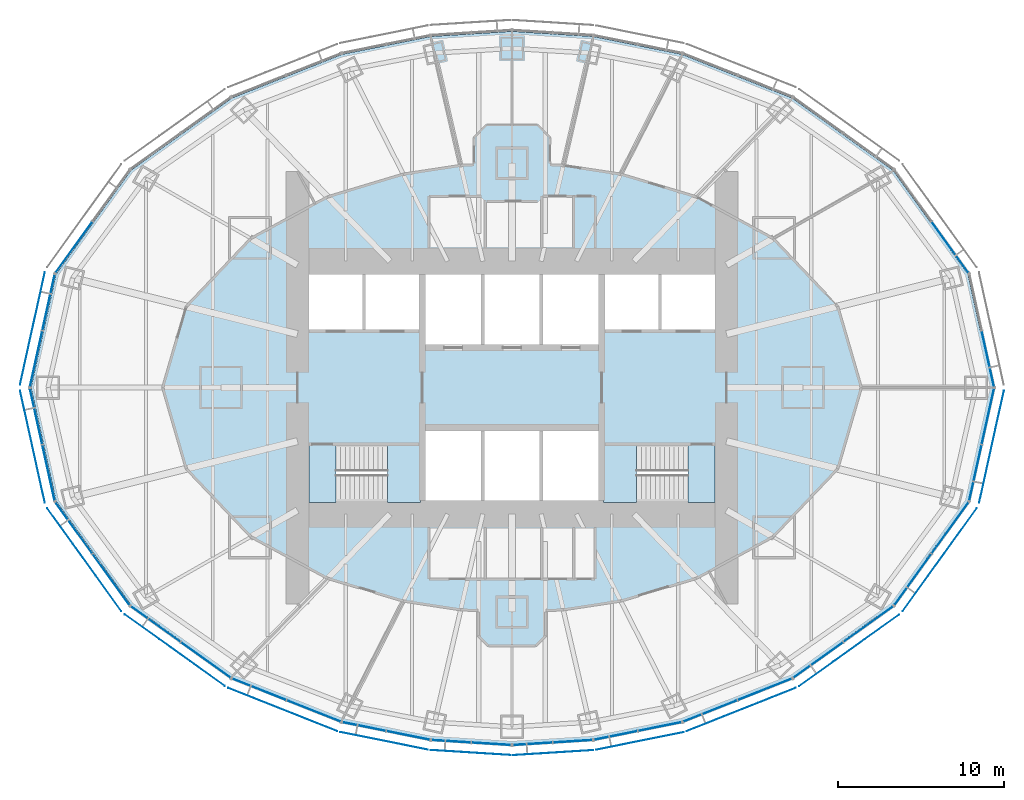
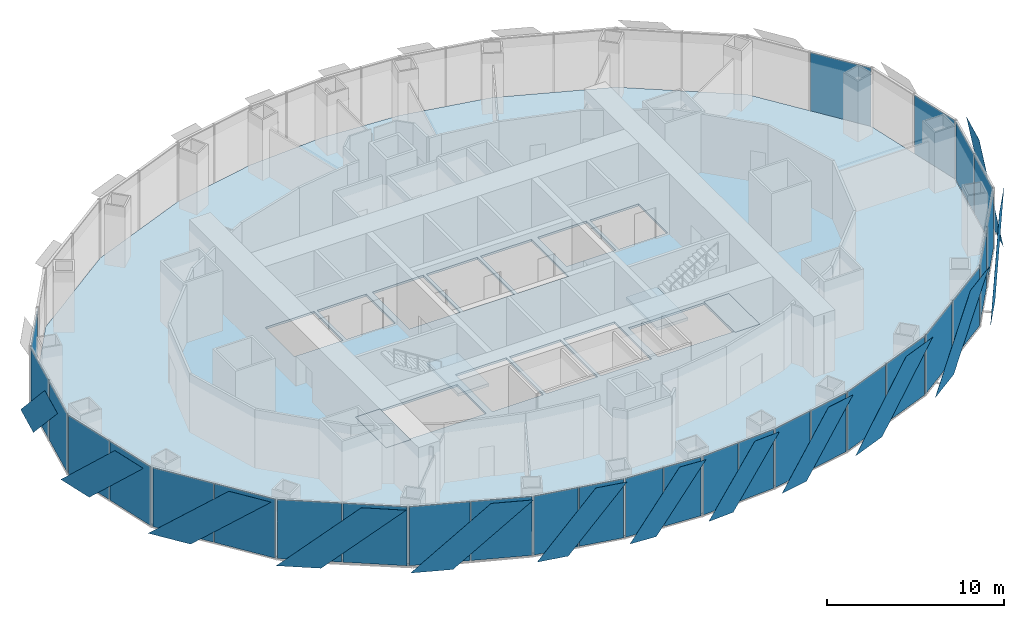
# One storey, part 9 of 18: 42 plates, 5 slabs, 18 elements without a shape of their own.
"""IFC4 building model written with IfcOpenShell, lengths in metres."""

from ifc_helpers import new_model, si_unit, direction, frame, origin, origin_2d, place, context, subcontext, project, spatial, polyline, rectangle, outline, extrude, material, layer, layer_set, type_object, element, aggregate, save


model = new_model("IFC4")

# Units and contexts
model_context = context("Model", 3, precision=1e-05, world=origin(), true_north=direction((0.0, 1.0)))
body_context = subcontext(model_context, "Body", "Model", "MODEL_VIEW")
ifc_project = project(units=[si_unit("LENGTHUNIT", "METRE"), si_unit("AREAUNIT", "SQUARE_METRE"), si_unit("VOLUMEUNIT", "CUBIC_METRE"), si_unit("PLANEANGLEUNIT", "RADIAN"), si_unit("MASSUNIT", "GRAM", prefix="KILO")], contexts=[model_context])

# Site, building, storey
site_placement = place(None, origin())
site = spatial("IfcSite", under=ifc_project, at=site_placement, CompositionType="ELEMENT")
building_placement = place(site_placement, origin())
building = spatial("IfcBuilding", under=site, at=building_placement, Name="Lantaw Convention Tower", CompositionType="ELEMENT")
storey_placement = place(building_placement, frame((0.0, 0.0, 180.39990234375)))
storey = spatial("IfcBuildingStorey", under=building, at=storey_placement, Name="L42", CompositionType="ELEMENT", Elevation=180.39990234375)

# Curtain wall, plate
ifc_material_1 = material(Name="Aluminium framed curtain wall", Category="aluminium")
curtain_wall_type = type_object("IfcCurtainWallType", Name="Office curtain wall low rise, pale aluminium", PredefinedType="USERDEFINED", material=ifc_material_1)
curtain_wall_1_placement = place(storey_placement, origin())
curtain_wall_1 = element("IfcCurtainWall", 1, at=curtain_wall_1_placement, inside=storey, type_object=curtain_wall_type, Name="Office curtain wall low rise, pale aluminium L42", ObjectType="UNITISED CURTAIN WALL", PredefinedType="USERDEFINED")
ifc_material_2 = material(Name="Clear insulating glass", Category="glass")
ifc_layer_1 = layer(ifc_material_2, 0.028076171875)
ifc_layer_set_1 = layer_set([ifc_layer_1], Name="CW-O1 panel 28")
plate_type_1 = type_object("IfcPlateType", Name="CW-O1 panel 28", PredefinedType="CURTAIN_PANEL", material=ifc_layer_set_1)
plate_1_placement = place(storey_placement, frame((28.618408203125, 1.729248046875, -0.0849609375), z_axis=(0.0, 0.0, 1.0), x_axis=(-0.215546166174, 0.9764936509, 0.0)))
plate_1 = element("IfcPlate", 2, at=plate_1_placement, type_object=plate_type_1, Name="CW-O1 panel 1.1", PredefinedType="CURTAIN_PANEL", context=body_context, shape_type="SweptSolid", body=[
    extrude(rectangle(XDim=3.41162109375, YDim=0.028076171875, at=origin_2d()), origin(), (0.0, 0.0, 1.0), 4.070068359375),
])
aggregate(curtain_wall_1, [plate_1])

curtain_wall_2_placement = place(storey_placement, origin())
curtain_wall_2 = element("IfcCurtainWall", 3, at=curtain_wall_2_placement, inside=storey, type_object=curtain_wall_type, Name="Office curtain wall low rise, pale aluminium L42", ObjectType="UNITISED CURTAIN WALL", PredefinedType="USERDEFINED")
plate_2_placement = place(storey_placement, frame((26.34814453125, 8.4345703125, -0.0849609375), z_axis=(0.0, 0.0, 1.0), x_axis=(-0.584512597221, 0.811384633629, 0.0)))
plate_2 = element("IfcPlate", 4, at=plate_2_placement, type_object=plate_type_1, Name="CW-O1 panel 1.1", PredefinedType="CURTAIN_PANEL", context=body_context, shape_type="SweptSolid", body=[
    extrude(rectangle(XDim=3.767333984375, YDim=0.028076171875, at=origin_2d()), origin(), (0.0, 0.0, 1.0), 4.070068359375),
])
aggregate(curtain_wall_2, [plate_2])

curtain_wall_3_placement = place(storey_placement, origin())
curtain_wall_3 = element("IfcCurtainWall", 5, at=curtain_wall_3_placement, inside=storey, type_object=curtain_wall_type, Name="Office curtain wall low rise, pale aluminium L42", ObjectType="UNITISED CURTAIN WALL", PredefinedType="USERDEFINED")
plate_3_placement = place(storey_placement, frame((-26.34814453125, 8.4345703125, -0.0849609375), z_axis=(0.0, 0.0, 1.0), x_axis=(-0.584512597221, -0.811384633629, 0.0)))
plate_3 = element("IfcPlate", 6, at=plate_3_placement, type_object=plate_type_1, Name="CW-O1 panel 2.1", PredefinedType="CURTAIN_PANEL", context=body_context, shape_type="SweptSolid", body=[
    extrude(rectangle(XDim=3.767333984375, YDim=0.028076171875, at=origin_2d()), origin(), (0.0, 0.0, 1.0), 4.070068359375),
])
aggregate(curtain_wall_3, [plate_3])

# Curtain wall, plates
curtain_wall_4_placement = place(storey_placement, origin())
curtain_wall_4 = element("IfcCurtainWall", 7, at=curtain_wall_4_placement, inside=storey, type_object=curtain_wall_type, Name="Office curtain wall low rise, pale aluminium L42", ObjectType="UNITISED CURTAIN WALL", PredefinedType="USERDEFINED")
plate_4_placement = place(storey_placement, frame((-27.868896484375, 5.1240234375, -0.0849609375), z_axis=(0.0, 0.0, 1.0), x_axis=(-0.215546166174, -0.9764936509, 0.0)))
plate_4 = element("IfcPlate", 8, at=plate_4_placement, type_object=plate_type_1, Name="CW-O1 panel 1.1", PredefinedType="CURTAIN_PANEL", context=body_context, shape_type="SweptSolid", body=[
    extrude(rectangle(XDim=3.41162109375, YDim=0.028076171875, at=origin_2d()), origin(), (0.0, 0.0, 1.0), 4.070068359375),
])
plate_5_placement = place(storey_placement, frame((-28.618408203125, 1.729248046875, -0.0849609375), z_axis=(0.0, 0.0, 1.0), x_axis=(-0.215546166174, -0.9764936509, 0.0)))
plate_5 = element("IfcPlate", 9, at=plate_5_placement, type_object=plate_type_1, Name="CW-O1 panel 2.1", PredefinedType="CURTAIN_PANEL", context=body_context, shape_type="SweptSolid", body=[
    extrude(rectangle(XDim=3.41162109375, YDim=0.028076171875, at=origin_2d()), origin(), (0.0, 0.0, 1.0), 4.070068359375),
])
aggregate(curtain_wall_4, [plate_4, plate_5])

curtain_wall_5_placement = place(storey_placement, origin())
curtain_wall_5 = element("IfcCurtainWall", 10, at=curtain_wall_5_placement, inside=storey, type_object=curtain_wall_type, Name="Office curtain wall low rise, pale aluminium L42", ObjectType="UNITISED CURTAIN WALL", PredefinedType="USERDEFINED")
plate_6_placement = place(storey_placement, frame((-28.618408203125, -1.729248046875, -0.0849609375), z_axis=(0.0, 0.0, 1.0), x_axis=(0.215546166174, -0.9764936509, 0.0)))
plate_6 = element("IfcPlate", 11, at=plate_6_placement, type_object=plate_type_1, Name="CW-O1 panel 1.1", PredefinedType="CURTAIN_PANEL", context=body_context, shape_type="SweptSolid", body=[
    extrude(rectangle(XDim=3.41162109375, YDim=0.028076171875, at=origin_2d()), origin(), (0.0, 0.0, 1.0), 4.070068359375),
])
plate_7_placement = place(storey_placement, frame((-27.868896484375, -5.1240234375, -0.0849609375), z_axis=(0.0, 0.0, 1.0), x_axis=(0.215546166174, -0.9764936509, 0.0)))
plate_7 = element("IfcPlate", 12, at=plate_7_placement, type_object=plate_type_1, Name="CW-O1 panel 2.1", PredefinedType="CURTAIN_PANEL", context=body_context, shape_type="SweptSolid", body=[
    extrude(rectangle(XDim=3.41162109375, YDim=0.028076171875, at=origin_2d()), origin(), (0.0, 0.0, 1.0), 4.070068359375),
])
aggregate(curtain_wall_5, [plate_6, plate_7])

curtain_wall_6_placement = place(storey_placement, origin())
curtain_wall_6 = element("IfcCurtainWall", 13, at=curtain_wall_6_placement, inside=storey, type_object=curtain_wall_type, Name="Office curtain wall low rise, pale aluminium L42", ObjectType="UNITISED CURTAIN WALL", PredefinedType="USERDEFINED")
plate_8_placement = place(storey_placement, frame((-26.34814453125, -8.4345703125, -0.0849609375), z_axis=(0.0, 0.0, 1.0), x_axis=(0.584512597221, -0.811384633629, 0.0)))
plate_8 = element("IfcPlate", 14, at=plate_8_placement, type_object=plate_type_1, Name="CW-O1 panel 1.1", PredefinedType="CURTAIN_PANEL", context=body_context, shape_type="SweptSolid", body=[
    extrude(rectangle(XDim=3.767333984375, YDim=0.028076171875, at=origin_2d()), origin(), (0.0, 0.0, 1.0), 4.070068359375),
])
plate_9_placement = place(storey_placement, frame((-24.108154296875, -11.5439453125, -0.0849609375), z_axis=(0.0, 0.0, 1.0), x_axis=(0.584512597221, -0.811384633629, 0.0)))
plate_9 = element("IfcPlate", 15, at=plate_9_placement, type_object=plate_type_1, Name="CW-O1 panel 2.1", PredefinedType="CURTAIN_PANEL", context=body_context, shape_type="SweptSolid", body=[
    extrude(rectangle(XDim=3.767333984375, YDim=0.028076171875, at=origin_2d()), origin(), (0.0, 0.0, 1.0), 4.070068359375),
])
aggregate(curtain_wall_6, [plate_8, plate_9])

curtain_wall_7_placement = place(storey_placement, origin())
curtain_wall_7 = element("IfcCurtainWall", 16, at=curtain_wall_7_placement, inside=storey, type_object=curtain_wall_type, Name="Office curtain wall low rise, pale aluminium L42", ObjectType="UNITISED CURTAIN WALL", PredefinedType="USERDEFINED")
plate_10_placement = place(storey_placement, frame((-21.43408203125, -14.2236328125, -0.0849609375), z_axis=(0.0, 0.0, 1.0), x_axis=(0.813208325995, -0.581972695693, 0.0)))
plate_10 = element("IfcPlate", 17, at=plate_10_placement, type_object=plate_type_1, Name="CW-O1 panel 1.1", PredefinedType="CURTAIN_PANEL", context=body_context, shape_type="SweptSolid", body=[
    extrude(rectangle(XDim=3.645263671875, YDim=0.028076171875, at=origin_2d()), origin(), (0.0, 0.0, 1.0), 4.070068359375),
])
plate_11_placement = place(storey_placement, frame((-18.416748046875, -16.383056640625, -0.0849609375), z_axis=(0.0, 0.0, 1.0), x_axis=(0.813208325995, -0.581972695693, 0.0)))
plate_11 = element("IfcPlate", 18, at=plate_11_placement, type_object=plate_type_1, Name="CW-O1 panel 2.1", PredefinedType="CURTAIN_PANEL", context=body_context, shape_type="SweptSolid", body=[
    extrude(rectangle(XDim=3.645263671875, YDim=0.028076171875, at=origin_2d()), origin(), (0.0, 0.0, 1.0), 4.070068359375),
])
aggregate(curtain_wall_7, [plate_10, plate_11])

curtain_wall_8_placement = place(storey_placement, origin())
curtain_wall_8 = element("IfcCurtainWall", 19, at=curtain_wall_8_placement, inside=storey, type_object=curtain_wall_type, Name="Office curtain wall low rise, pale aluminium L42", ObjectType="UNITISED CURTAIN WALL", PredefinedType="USERDEFINED")
plate_12_placement = place(storey_placement, frame((-15.208251953125, -18.145263671875, -0.0849609375), z_axis=(0.0, 0.0, 1.0), x_axis=(0.929547687544, -0.368701907483, 0.0)))
plate_12 = element("IfcPlate", 20, at=plate_12_placement, type_object=plate_type_1, Name="CW-O1 panel 1.1", PredefinedType="CURTAIN_PANEL", context=body_context, shape_type="SweptSolid", body=[
    extrude(rectangle(XDim=3.470703125, YDim=0.028076171875, at=origin_2d()), origin(), (0.0, 0.0, 1.0), 4.070068359375),
])
plate_13_placement = place(storey_placement, frame((-11.921630859375, -19.448974609375, -0.0849609375), z_axis=(0.0, 0.0, 1.0), x_axis=(0.929547687544, -0.368701907483, 0.0)))
plate_13 = element("IfcPlate", 21, at=plate_13_placement, type_object=plate_type_1, Name="CW-O1 panel 2.1", PredefinedType="CURTAIN_PANEL", context=body_context, shape_type="SweptSolid", body=[
    extrude(rectangle(XDim=3.470703125, YDim=0.028076171875, at=origin_2d()), origin(), (0.0, 0.0, 1.0), 4.070068359375),
])
aggregate(curtain_wall_8, [plate_12, plate_13])

curtain_wall_9_placement = place(storey_placement, origin())
curtain_wall_9 = element("IfcCurtainWall", 22, at=curtain_wall_9_placement, inside=storey, type_object=curtain_wall_type, Name="Office curtain wall low rise, pale aluminium L42", ObjectType="UNITISED CURTAIN WALL", PredefinedType="USERDEFINED")
plate_14_placement = place(storey_placement, frame((-8.893310546875, -20.3857421875, -0.0849609375), z_axis=(0.0, 0.0, 1.0), x_axis=(0.980301514912, -0.197506809659, 0.0)))
plate_14 = element("IfcPlate", 23, at=plate_14_placement, type_object=plate_type_1, Name="CW-O1 panel 1.1", PredefinedType="CURTAIN_PANEL", context=body_context, shape_type="SweptSolid", body=[
    extrude(rectangle(XDim=2.634033203125, YDim=0.028076171875, at=origin_2d()), origin(), (0.0, 0.0, 1.0), 4.070068359375),
])
plate_15_placement = place(storey_placement, frame((-6.247314453125, -20.9189453125, -0.0849609375), z_axis=(0.0, 0.0, 1.0), x_axis=(0.980301514912, -0.197506809659, 0.0)))
plate_15 = element("IfcPlate", 24, at=plate_15_placement, type_object=plate_type_1, Name="CW-O1 panel 2.1", PredefinedType="CURTAIN_PANEL", context=body_context, shape_type="SweptSolid", body=[
    extrude(rectangle(XDim=2.634033203125, YDim=0.028076171875, at=origin_2d()), origin(), (0.0, 0.0, 1.0), 4.070068359375),
])
aggregate(curtain_wall_9, [plate_14, plate_15])

curtain_wall_10_placement = place(storey_placement, origin())
curtain_wall_10 = element("IfcCurtainWall", 25, at=curtain_wall_10_placement, inside=storey, type_object=curtain_wall_type, Name="Office curtain wall low rise, pale aluminium L42", ObjectType="UNITISED CURTAIN WALL", PredefinedType="USERDEFINED")
plate_16_placement = place(storey_placement, frame((-3.653076171875, -21.269775390625, -0.0849609375), z_axis=(0.0, 0.0, 1.0), x_axis=(0.998022035978, -0.062865059466, 0.0)))
plate_16 = element("IfcPlate", 26, at=plate_16_placement, type_object=plate_type_1, Name="CW-O1 panel 1.1", PredefinedType="CURTAIN_PANEL", context=body_context, shape_type="SweptSolid", body=[
    extrude(rectangle(XDim=2.353515625, YDim=0.028076171875, at=origin_2d()), origin(), (0.0, 0.0, 1.0), 4.070068359375),
])
plate_17_placement = place(storey_placement, frame((-1.2392578125, -21.421875, -0.0849609375), z_axis=(0.0, 0.0, 1.0), x_axis=(0.998022035978, -0.062865059466, 0.0)))
plate_17 = element("IfcPlate", 27, at=plate_17_placement, type_object=plate_type_1, Name="CW-O1 panel 2.1", PredefinedType="CURTAIN_PANEL", context=body_context, shape_type="SweptSolid", body=[
    extrude(rectangle(XDim=2.353515625, YDim=0.028076171875, at=origin_2d()), origin(), (0.0, 0.0, 1.0), 4.070068359375),
])
aggregate(curtain_wall_10, [plate_16, plate_17])

curtain_wall_11_placement = place(storey_placement, origin())
curtain_wall_11 = element("IfcCurtainWall", 28, at=curtain_wall_11_placement, inside=storey, type_object=curtain_wall_type, Name="Office curtain wall low rise, pale aluminium L42", ObjectType="UNITISED CURTAIN WALL", PredefinedType="USERDEFINED")
plate_18_placement = place(storey_placement, frame((1.2392578125, -21.421875, -0.0849609375), z_axis=(0.0, 0.0, 1.0), x_axis=(0.998022035978, 0.062865059466, 0.0)))
plate_18 = element("IfcPlate", 29, at=plate_18_placement, type_object=plate_type_1, Name="CW-O1 panel 1.1", PredefinedType="CURTAIN_PANEL", context=body_context, shape_type="SweptSolid", body=[
    extrude(rectangle(XDim=2.353515625, YDim=0.028076171875, at=origin_2d()), origin(), (0.0, 0.0, 1.0), 4.070068359375),
])
plate_19_placement = place(storey_placement, frame((3.653076171875, -21.269775390625, -0.0849609375), z_axis=(0.0, 0.0, 1.0), x_axis=(0.998022035978, 0.062865059466, 0.0)))
plate_19 = element("IfcPlate", 30, at=plate_19_placement, type_object=plate_type_1, Name="CW-O1 panel 2.1", PredefinedType="CURTAIN_PANEL", context=body_context, shape_type="SweptSolid", body=[
    extrude(rectangle(XDim=2.353515625, YDim=0.028076171875, at=origin_2d()), origin(), (0.0, 0.0, 1.0), 4.070068359375),
])
aggregate(curtain_wall_11, [plate_18, plate_19])

curtain_wall_12_placement = place(storey_placement, origin())
curtain_wall_12 = element("IfcCurtainWall", 31, at=curtain_wall_12_placement, inside=storey, type_object=curtain_wall_type, Name="Office curtain wall low rise, pale aluminium L42", ObjectType="UNITISED CURTAIN WALL", PredefinedType="USERDEFINED")
plate_20_placement = place(storey_placement, frame((6.247314453125, -20.9189453125, -0.0849609375), z_axis=(0.0, 0.0, 1.0), x_axis=(0.980301514912, 0.197506809659, 0.0)))
plate_20 = element("IfcPlate", 32, at=plate_20_placement, type_object=plate_type_1, Name="CW-O1 panel 1.1", PredefinedType="CURTAIN_PANEL", context=body_context, shape_type="SweptSolid", body=[
    extrude(rectangle(XDim=2.634033203125, YDim=0.028076171875, at=origin_2d()), origin(), (0.0, 0.0, 1.0), 4.070068359375),
])
plate_21_placement = place(storey_placement, frame((8.893310546875, -20.3857421875, -0.0849609375), z_axis=(0.0, 0.0, 1.0), x_axis=(0.980301514912, 0.197506809659, 0.0)))
plate_21 = element("IfcPlate", 33, at=plate_21_placement, type_object=plate_type_1, Name="CW-O1 panel 2.1", PredefinedType="CURTAIN_PANEL", context=body_context, shape_type="SweptSolid", body=[
    extrude(rectangle(XDim=2.634033203125, YDim=0.028076171875, at=origin_2d()), origin(), (0.0, 0.0, 1.0), 4.070068359375),
])
aggregate(curtain_wall_12, [plate_20, plate_21])

curtain_wall_13_placement = place(storey_placement, origin())
curtain_wall_13 = element("IfcCurtainWall", 34, at=curtain_wall_13_placement, inside=storey, type_object=curtain_wall_type, Name="Office curtain wall low rise, pale aluminium L42", ObjectType="UNITISED CURTAIN WALL", PredefinedType="USERDEFINED")
plate_22_placement = place(storey_placement, frame((11.921630859375, -19.448974609375, -0.0849609375), z_axis=(0.0, 0.0, 1.0), x_axis=(0.929547687544, 0.368701907483, 0.0)))
plate_22 = element("IfcPlate", 35, at=plate_22_placement, type_object=plate_type_1, Name="CW-O1 panel 1.1", PredefinedType="CURTAIN_PANEL", context=body_context, shape_type="SweptSolid", body=[
    extrude(rectangle(XDim=3.470703125, YDim=0.028076171875, at=origin_2d()), origin(), (0.0, 0.0, 1.0), 4.070068359375),
])
plate_23_placement = place(storey_placement, frame((15.208251953125, -18.145263671875, -0.0849609375), z_axis=(0.0, 0.0, 1.0), x_axis=(0.929547687544, 0.368701907483, 0.0)))
plate_23 = element("IfcPlate", 36, at=plate_23_placement, type_object=plate_type_1, Name="CW-O1 panel 2.1", PredefinedType="CURTAIN_PANEL", context=body_context, shape_type="SweptSolid", body=[
    extrude(rectangle(XDim=3.470703125, YDim=0.028076171875, at=origin_2d()), origin(), (0.0, 0.0, 1.0), 4.070068359375),
])
aggregate(curtain_wall_13, [plate_22, plate_23])

curtain_wall_14_placement = place(storey_placement, origin())
curtain_wall_14 = element("IfcCurtainWall", 37, at=curtain_wall_14_placement, inside=storey, type_object=curtain_wall_type, Name="Office curtain wall low rise, pale aluminium L42", ObjectType="UNITISED CURTAIN WALL", PredefinedType="USERDEFINED")
plate_24_placement = place(storey_placement, frame((18.416748046875, -16.383056640625, -0.0849609375), z_axis=(0.0, 0.0, 1.0), x_axis=(0.813208325995, 0.581972695693, 0.0)))
plate_24 = element("IfcPlate", 38, at=plate_24_placement, type_object=plate_type_1, Name="CW-O1 panel 1.1", PredefinedType="CURTAIN_PANEL", context=body_context, shape_type="SweptSolid", body=[
    extrude(rectangle(XDim=3.645263671875, YDim=0.028076171875, at=origin_2d()), origin(), (0.0, 0.0, 1.0), 4.070068359375),
])
plate_25_placement = place(storey_placement, frame((21.43408203125, -14.2236328125, -0.0849609375), z_axis=(0.0, 0.0, 1.0), x_axis=(0.813208325995, 0.581972695693, 0.0)))
plate_25 = element("IfcPlate", 39, at=plate_25_placement, type_object=plate_type_1, Name="CW-O1 panel 2.1", PredefinedType="CURTAIN_PANEL", context=body_context, shape_type="SweptSolid", body=[
    extrude(rectangle(XDim=3.645263671875, YDim=0.028076171875, at=origin_2d()), origin(), (0.0, 0.0, 1.0), 4.070068359375),
])
aggregate(curtain_wall_14, [plate_24, plate_25])

curtain_wall_15_placement = place(storey_placement, origin())
curtain_wall_15 = element("IfcCurtainWall", 40, at=curtain_wall_15_placement, inside=storey, type_object=curtain_wall_type, Name="Office curtain wall low rise, pale aluminium L42", ObjectType="UNITISED CURTAIN WALL", PredefinedType="USERDEFINED")
plate_26_placement = place(storey_placement, frame((24.108154296875, -11.5439453125, -0.0849609375), z_axis=(0.0, 0.0, 1.0), x_axis=(0.584512597221, 0.811384633629, 0.0)))
plate_26 = element("IfcPlate", 41, at=plate_26_placement, type_object=plate_type_1, Name="CW-O1 panel 1.1", PredefinedType="CURTAIN_PANEL", context=body_context, shape_type="SweptSolid", body=[
    extrude(rectangle(XDim=3.767333984375, YDim=0.028076171875, at=origin_2d()), origin(), (0.0, 0.0, 1.0), 4.070068359375),
])
plate_27_placement = place(storey_placement, frame((26.34814453125, -8.4345703125, -0.0849609375), z_axis=(0.0, 0.0, 1.0), x_axis=(0.584512597221, 0.811384633629, 0.0)))
plate_27 = element("IfcPlate", 42, at=plate_27_placement, type_object=plate_type_1, Name="CW-O1 panel 2.1", PredefinedType="CURTAIN_PANEL", context=body_context, shape_type="SweptSolid", body=[
    extrude(rectangle(XDim=3.767333984375, YDim=0.028076171875, at=origin_2d()), origin(), (0.0, 0.0, 1.0), 4.070068359375),
])
aggregate(curtain_wall_15, [plate_26, plate_27])

curtain_wall_16_placement = place(storey_placement, origin())
curtain_wall_16 = element("IfcCurtainWall", 43, at=curtain_wall_16_placement, inside=storey, type_object=curtain_wall_type, Name="Office curtain wall low rise, pale aluminium L42", ObjectType="UNITISED CURTAIN WALL", PredefinedType="USERDEFINED")
plate_28_placement = place(storey_placement, frame((27.868896484375, -5.1240234375, -0.0849609375), z_axis=(0.0, 0.0, 1.0), x_axis=(0.215546166174, 0.9764936509, 0.0)))
plate_28 = element("IfcPlate", 44, at=plate_28_placement, type_object=plate_type_1, Name="CW-O1 panel 1.1", PredefinedType="CURTAIN_PANEL", context=body_context, shape_type="SweptSolid", body=[
    extrude(rectangle(XDim=3.41162109375, YDim=0.028076171875, at=origin_2d()), origin(), (0.0, 0.0, 1.0), 4.070068359375),
])
plate_29_placement = place(storey_placement, frame((28.618408203125, -1.729248046875, -0.0849609375), z_axis=(0.0, 0.0, 1.0), x_axis=(0.215546166174, 0.9764936509, 0.0)))
plate_29 = element("IfcPlate", 45, at=plate_29_placement, type_object=plate_type_1, Name="CW-O1 panel 2.1", PredefinedType="CURTAIN_PANEL", context=body_context, shape_type="SweptSolid", body=[
    extrude(rectangle(XDim=3.41162109375, YDim=0.028076171875, at=origin_2d()), origin(), (0.0, 0.0, 1.0), 4.070068359375),
])
aggregate(curtain_wall_16, [plate_28, plate_29])

# Slab
ifc_material_3 = material(Name="Concrete C35/45", Category="concrete")
ifc_layer_2 = layer(ifc_material_3, 0.14990234375)
ifc_layer_set_2 = layer_set([ifc_layer_2], Name="Floor slab 150")
slab_type_1 = type_object("IfcSlabType", Name="Floor slab 150", PredefinedType="FLOOR", material=ifc_layer_set_2)
slab_1_placement = place(storey_placement, frame((0.0, 0.0, -0.14990234375)))
element("IfcSlab", 46, at=slab_1_placement, inside=storey, type_object=slab_type_1, Name="L42 floor slab", PredefinedType="FLOOR", context=body_context, shape_type="SweptSolid", body=[
    extrude(outline(polyline([(27.417236328125, -6.822021484375), (28.923095703125, 0.0), (27.417236328125, 6.822021484375), (22.915283203125, 13.0712890625), (16.845458984375, 17.415283203125), (10.2265625, 20.04052734375), (4.8828125, 21.1171875), (0.0, 21.4248046875), (-4.8828125, 21.1171875), (-10.2265625, 20.04052734375), (-16.845458984375, 17.415283203125), (-22.915283203125, 13.0712890625), (-27.417236328125, 6.822021484375), (-28.923095703125, 0.0), (-27.417236328125, -6.822021484375), (-22.915283203125, -13.0712890625), (-16.845458984375, -17.415283203125), (-10.2265625, -20.04052734375), (-4.8828125, -21.1171875), (0.0, -21.4248046875), (4.8828125, -21.1171875), (10.2265625, -20.04052734375), (16.845458984375, -17.415283203125), (22.915283203125, -13.0712890625), (27.417236328125, -6.822021484375)]), holes=[polyline([(-5.60009765625, -3.5), (-12.199951171875, -3.5), (-12.199951171875, -6.800048828125), (-5.60009765625, -6.800048828125), (-5.60009765625, -3.5)]), polyline([(-1.86669921875, -6.800048828125), (-1.86669921875, -2.60009765625), (-5.199951171875, -2.60009765625), (-5.199951171875, -6.800048828125), (-1.86669921875, -6.800048828125)]), polyline([(-1.86669921875, 2.60009765625), (-1.86669921875, 6.800048828125), (-5.199951171875, 6.800048828125), (-5.199951171875, 2.60009765625), (-1.86669921875, 2.60009765625)]), polyline([(1.666748046875, 6.800048828125), (-1.666748046875, 6.800048828125), (-1.666748046875, 2.60009765625), (1.666748046875, 2.60009765625), (1.666748046875, 6.800048828125)]), polyline([(-9.0, 3.5), (-9.0, 6.800048828125), (-12.199951171875, 6.800048828125), (-12.199951171875, 3.5), (-9.0, 3.5)]), polyline([(-5.60009765625, 3.5), (-5.60009765625, 6.800048828125), (-8.800048828125, 6.800048828125), (-8.800048828125, 3.5), (-5.60009765625, 3.5)]), polyline([(12.199951171875, -3.5), (5.60009765625, -3.5), (5.60009765625, -6.800048828125), (12.199951171875, -6.800048828125), (12.199951171875, -3.5)]), polyline([(1.666748046875, -6.800048828125), (1.666748046875, -2.60009765625), (-1.666748046875, -2.60009765625), (-1.666748046875, -6.800048828125), (1.666748046875, -6.800048828125)]), polyline([(5.199951171875, -6.800048828125), (5.199951171875, -2.60009765625), (1.86669921875, -2.60009765625), (1.86669921875, -6.800048828125), (5.199951171875, -6.800048828125)]), polyline([(5.199951171875, 6.800048828125), (1.86669921875, 6.800048828125), (1.86669921875, 2.60009765625), (5.199951171875, 2.60009765625), (5.199951171875, 6.800048828125)]), polyline([(8.800048828125, 3.5), (8.800048828125, 6.800048828125), (5.60009765625, 6.800048828125), (5.60009765625, 3.5), (8.800048828125, 3.5)]), polyline([(12.199951171875, 3.5), (12.199951171875, 6.800048828125), (9.0, 6.800048828125), (9.0, 3.5), (12.199951171875, 3.5)])]), origin(), (0.0, 0.0, 1.0), 0.14990234375),
])

# Plates
ifc_material_4 = material(Name="Perforated aluminium sheet, pale silver finish", Category="aluminium")
ifc_layer_3 = layer(ifc_material_4, 0.006103515625)
ifc_layer_set_3 = layer_set([ifc_layer_3], Name="Perforated aluminium solar SCREEN panel")
plate_type_2 = type_object("IfcPlateType", Name="Perforated aluminium solar SCREEN panel", PredefinedType="SHEET", material=ifc_layer_set_3)
plate_30_placement = place(storey_placement, frame((-28.08984375, 6.93505859375, -0.1748046875), z_axis=(0.976497812463, -0.215527309509, 3.3329045e-05), x_axis=(-0.215527309629, -0.976497813005, -1.665e-09)))
element("IfcPlate", 47, at=plate_30_placement, inside=storey, type_object=plate_type_2, Name="Solar SCREEN panel", PredefinedType="SHEET", context=body_context, shape_type="SweptSolid", body=[
    extrude(outline(polyline([(0.0, 0.0), (2.386131748388921, -3.3881317890172014e-21), (6.918240176095255, -4.339843763929156), (4.532055808734257, -4.33984375598333), (0.0, 0.0)])), origin(), (0.0, 0.0, -1.0), 0.006103515625),
])
plate_31_placement = place(storey_placement, frame((-29.5810546875, -0.179443359375, -0.1748046875), z_axis=(-0.976497812463, -0.215527309509, 3.3329045e-05), x_axis=(0.215527309629, -0.976497813005, 1.665e-09)))
element("IfcPlate", 48, at=plate_31_placement, inside=storey, type_object=plate_type_2, Name="Solar SCREEN panel", PredefinedType="SHEET", context=body_context, shape_type="SweptSolid", body=[
    extrude(outline(polyline([(0.0, 0.0), (2.3861843673609986, 0.0), (6.918240190546627, 4.339843740891906), (4.532108442157707, 4.339843748837556), (0.0, 0.0)])), origin(), (0.0, 0.0, -1.0), 0.006103515625),
])
plate_32_placement = place(storey_placement, frame((-27.94970703125, -7.248046875, -0.1748046875), z_axis=(-0.81139512159, -0.584498037099, 3.5888803e-05), x_axis=(0.584498037475, -0.811395122112, -9.74e-10)))
element("IfcPlate", 49, at=plate_32_placement, inside=storey, type_object=plate_type_2, Name="Solar SCREEN panel", PredefinedType="SHEET", context=body_context, shape_type="SweptSolid", body=[
    extrude(outline(polyline([(0.0, 0.0), (2.628222178575422, -6.776263578034403e-21), (7.629778257969264, 4.339843760228519), (5.001754173906077, 4.339843755107391), (0.0, 0.0)])), origin(), (0.0, 0.0, -1.0), 0.006103515625),
])
plate_33_placement = place(storey_placement, frame((-23.281005859375, -13.64697265625, -0.1748046875), z_axis=(-0.582000183937, -0.813188653244, 1.1537794e-05), x_axis=(0.813188653298, -0.582000183975, 0.0)))
element("IfcPlate", 50, at=plate_33_placement, inside=storey, type_object=plate_type_2, Name="Solar SCREEN panel", PredefinedType="SHEET", context=body_context, shape_type="SweptSolid", body=[
    extrude(outline(polyline([(0.0, 0.0), (2.5450183911586484, 1.6940658945086007e-21), (7.385531276904658, 4.339843750288861), (4.840512885746009, 4.339843750288861), (0.0, 0.0)])), origin(), (0.0, 0.0, -1.0), 0.006103515625),
])
plate_34_placement = place(storey_placement, frame((-17.05859375, -18.063232421875, -0.1748046875), z_axis=(0.368708915367, 0.929544907797, 1.0867661e-05), x_axis=(0.929544907851, -0.368708915389, 7.1e-10)))
element("IfcPlate", 51, at=plate_34_placement, inside=storey, type_object=plate_type_2, Name="Solar SCREEN panel", PredefinedType="SHEET", context=body_context, shape_type="SweptSolid", body=[
    extrude(outline(polyline([(0.0, 0.0), (2.4263803793049097, 0.0), (7.036549629566982, -4.339843745261612), (4.61003232741235, -4.339843748706285), (0.0, 0.0)])), origin(), (0.0, 0.0, -1.0), 0.006103515625),
])
plate_35_placement = place(storey_placement, frame((-10.318603515625, -20.716796875, -0.1748046875), z_axis=(-0.197556725442, -0.980291455983, 3.9485719e-05), x_axis=(0.980291456747, -0.197556725596, 0.0)))
element("IfcPlate", 52, at=plate_35_placement, inside=storey, type_object=plate_type_2, Name="Solar SCREEN panel", PredefinedType="SHEET", context=body_context, shape_type="SweptSolid", body=[
    extrude(outline(polyline([(0.0, 0.0), (1.8574075788555457, 1.6940658945086007e-21), (5.362987026845185, 4.339843753383173), (3.505579447989639, 4.339843753383173), (0.0, 0.0)])), origin(), (0.0, 0.0, -1.0), 0.006103515625),
])
plate_36_placement = place(storey_placement, frame((-4.880615234375, -21.7998046875, -0.1748046875), z_axis=(-0.062838799866, -0.998023689713, 1.755158e-06), x_axis=(0.998023689715, -0.062838799866, -8e-12)))
element("IfcPlate", 53, at=plate_36_placement, inside=storey, type_object=plate_type_2, Name="Solar SCREEN panel", PredefinedType="SHEET", context=body_context, shape_type="SweptSolid", body=[
    extrude(outline(polyline([(0.0, 0.0), (1.6666243269452135, 2.6469779601696886e-23), (4.802214797186689, 4.339843750045478), (3.135346812114104, 4.33984375001855), (0.0, 0.0)])), origin(), (0.0, 0.0, -1.0), 0.006103515625),
])
plate_37_placement = place(storey_placement, frame((0.087890625, -22.1015625, -0.1748046875), z_axis=(-0.062838799866, 0.998023689713, 1.755158e-06), x_axis=(0.998023689715, 0.062838799866, 8e-12)))
element("IfcPlate", 54, at=plate_37_placement, inside=storey, type_object=plate_type_2, Name="Solar SCREEN panel", PredefinedType="SHEET", context=body_context, shape_type="SweptSolid", body=[
    extrude(outline(polyline([(0.0, 0.0), (1.6668679850725854, -5.293955920339377e-23), (4.802214797256801, -4.339843749967897), (3.1355904703115876, -4.339843749994822), (0.0, 0.0)])), origin(), (0.0, 0.0, -1.0), 0.006103515625),
])
plate_38_placement = place(storey_placement, frame((5.061279296875, -21.776123046875, -0.1748046875), z_axis=(-0.197556725442, 0.980291455983, 3.9485719e-05), x_axis=(0.980291456747, 0.197556725596, 0.0)))
element("IfcPlate", 55, at=plate_38_placement, inside=storey, type_object=plate_type_2, Name="Solar SCREEN panel", PredefinedType="SHEET", context=body_context, shape_type="SweptSolid", body=[
    extrude(outline(polyline([(0.0, 0.0), (1.8574075788555457, -1.6940658945086007e-21), (5.362987026845185, -4.339843753383173), (3.505579447989639, -4.339843753383173), (0.0, 0.0)])), origin(), (0.0, 0.0, -1.0), 0.006103515625),
])
plate_39_placement = place(storey_placement, frame((10.517822265625, -20.65771484375, -0.1748046875), z_axis=(0.368708915367, -0.929544907797, 1.0867661e-05), x_axis=(0.929544907851, 0.368708915389, -7.1e-10)))
element("IfcPlate", 56, at=plate_39_placement, inside=storey, type_object=plate_type_2, Name="Solar SCREEN panel", PredefinedType="SHEET", context=body_context, shape_type="SweptSolid", body=[
    extrude(outline(polyline([(0.0, 0.0), (2.426517302154632, 1.6940658945086007e-21), (7.036549623406159, 4.339843755250667), (4.610169244101249, 4.339843751806188), (0.0, 0.0)])), origin(), (0.0, 0.0, -1.0), 0.006103515625),
])
plate_40_placement = place(storey_placement, frame((17.275146484375, -17.9453125, -0.1748046875), z_axis=(-0.582000183937, 0.813188653244, 1.1537794e-05), x_axis=(0.813188653298, 0.582000183975, 0.0)))
element("IfcPlate", 57, at=plate_40_placement, inside=storey, type_object=plate_type_2, Name="Solar SCREEN panel", PredefinedType="SHEET", context=body_context, shape_type="SweptSolid", body=[
    extrude(outline(polyline([(0.0, 0.0), (2.5450183911586484, -1.6940658945086007e-21), (7.385531276904658, -4.339843750288861), (4.840512885746009, -4.339843750288861), (0.0, 0.0)])), origin(), (0.0, 0.0, -1.0), 0.006103515625),
])
plate_41_placement = place(storey_placement, frame((23.489990234375, -13.438720703125, -0.1748046875), z_axis=(-0.81139512159, 0.584498037099, 3.5888803e-05), x_axis=(0.584498037475, 0.811395122112, 9.74e-10)))
element("IfcPlate", 58, at=plate_41_placement, inside=storey, type_object=plate_type_2, Name="Solar SCREEN panel", PredefinedType="SHEET", context=body_context, shape_type="SweptSolid", body=[
    extrude(outline(polyline([(0.0, 0.0), (2.6280240840631874, 6.776263578034403e-21), (7.62977826642615, -4.339843745360666), (5.001556087850728, -4.3398437504821805), (0.0, 0.0)])), origin(), (0.0, 0.0, -1.0), 0.006103515625),
])
plate_42_placement = place(storey_placement, frame((28.08984375, -6.93505859375, -0.1748046875), z_axis=(-0.976497812463, 0.215527309509, 3.3329045e-05), x_axis=(0.215527309629, 0.976497813005, -1.665e-09)))
element("IfcPlate", 59, at=plate_42_placement, inside=storey, type_object=plate_type_2, Name="Solar SCREEN panel", PredefinedType="SHEET", context=body_context, shape_type="SweptSolid", body=[
    extrude(outline(polyline([(0.0, 0.0), (2.386131748388921, -3.3881317890172014e-21), (6.918240176095255, -4.339843763929156), (4.532055808734257, -4.33984375598333), (0.0, 0.0)])), origin(), (0.0, 0.0, -1.0), 0.006103515625),
])

# Stair, slabs
stair_type = type_object("IfcStairType", Name="Exit stair 1500 riser 175 in 2 flights", PredefinedType="HALF_TURN_STAIR", material=ifc_material_3)
stair_1_placement = place(storey_placement, origin())
stair_1 = element("IfcStair", 60, at=stair_1_placement, inside=storey, type_object=stair_type, Name="Exit stair S1 L42", PredefinedType="HALF_TURN_STAIR")
ifc_layer_4 = layer(ifc_material_3, 0.199951171875)
ifc_layer_set_4 = layer_set([ifc_layer_4], Name="Stair landing 200")
slab_type_2 = type_object("IfcSlabType", Name="Stair landing 200", PredefinedType="LANDING", material=ifc_layer_set_4)
slab_2_placement = place(storey_placement, frame((0.0, 0.0, -0.199951171875)))
slab_2 = element("IfcSlab", 61, at=slab_2_placement, type_object=slab_type_2, Name="S1 landing 1", PredefinedType="LANDING", context=body_context, shape_type="SweptSolid", body=[
    extrude(outline(polyline([(-12.199951171875, -6.89990234375), (-10.580078125, -6.89990234375), (-10.580078125, -3.39990234375), (-12.199951171875, -3.39990234375), (-12.199951171875, -6.89990234375)])), origin(), (0.0, 0.0, 1.0), 0.199951171875),
])
slab_3_placement = place(storey_placement, frame((0.0, 0.0, 1.900146484375)))
slab_3 = element("IfcSlab", 62, at=slab_3_placement, type_object=slab_type_2, Name="S1 landing 2", PredefinedType="LANDING", context=body_context, shape_type="SweptSolid", body=[
    extrude(outline(polyline([(-7.5, -6.89990234375), (-5.5, -6.89990234375), (-5.5, -3.39990234375), (-7.5, -3.39990234375), (-7.5, -6.89990234375)])), origin(), (0.0, 0.0, 1.0), 0.199951171875),
])
aggregate(stair_1, [slab_2, slab_3])

stair_2_placement = place(storey_placement, origin())
stair_2 = element("IfcStair", 63, at=stair_2_placement, inside=storey, type_object=stair_type, Name="Exit stair S2 L42", PredefinedType="HALF_TURN_STAIR")
slab_4_placement = place(storey_placement, frame((0.0, 0.0, -0.199951171875)))
slab_4 = element("IfcSlab", 64, at=slab_4_placement, type_object=slab_type_2, Name="S2 landing 1", PredefinedType="LANDING", context=body_context, shape_type="SweptSolid", body=[
    extrude(outline(polyline([(10.580078125, -6.89990234375), (12.199951171875, -6.89990234375), (12.199951171875, -3.39990234375), (10.580078125, -3.39990234375), (10.580078125, -6.89990234375)])), origin(), (0.0, 0.0, 1.0), 0.199951171875),
])
slab_5_placement = place(storey_placement, frame((0.0, 0.0, 1.900146484375)))
slab_5 = element("IfcSlab", 65, at=slab_5_placement, type_object=slab_type_2, Name="S2 landing 2", PredefinedType="LANDING", context=body_context, shape_type="SweptSolid", body=[
    extrude(outline(polyline([(5.5, -6.89990234375), (7.5, -6.89990234375), (7.5, -3.39990234375), (5.5, -3.39990234375), (5.5, -6.89990234375)])), origin(), (0.0, 0.0, 1.0), 0.199951171875),
])
aggregate(stair_2, [slab_4, slab_5])

save(model, "model.ifc")
